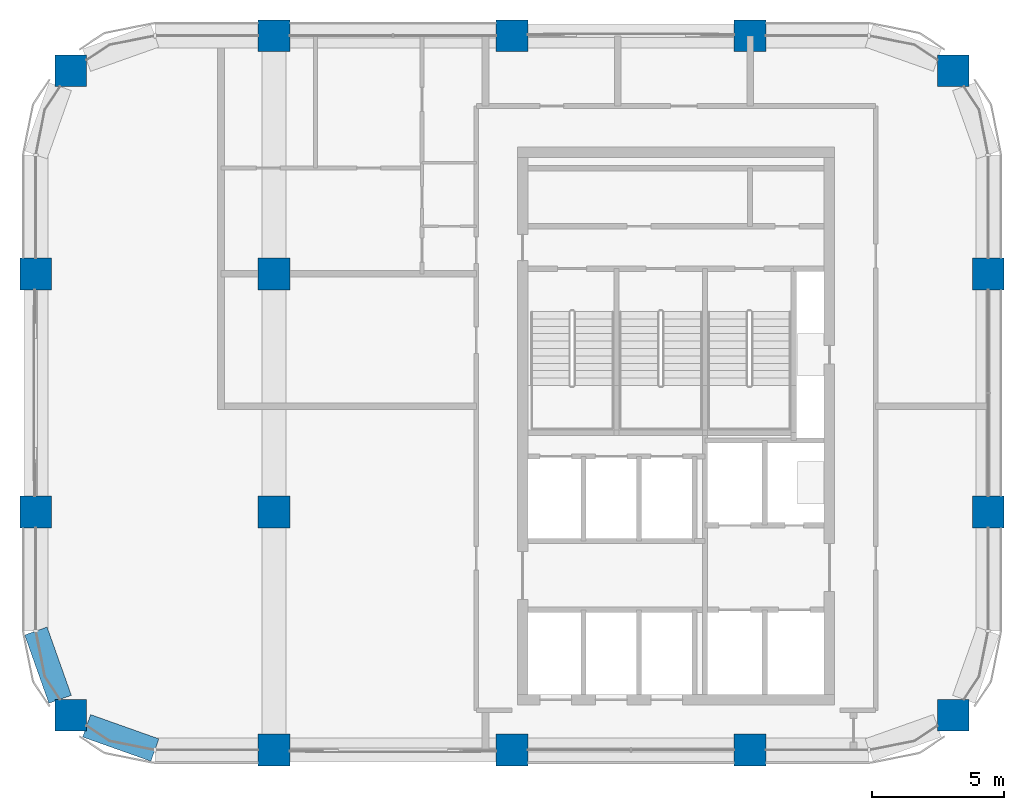
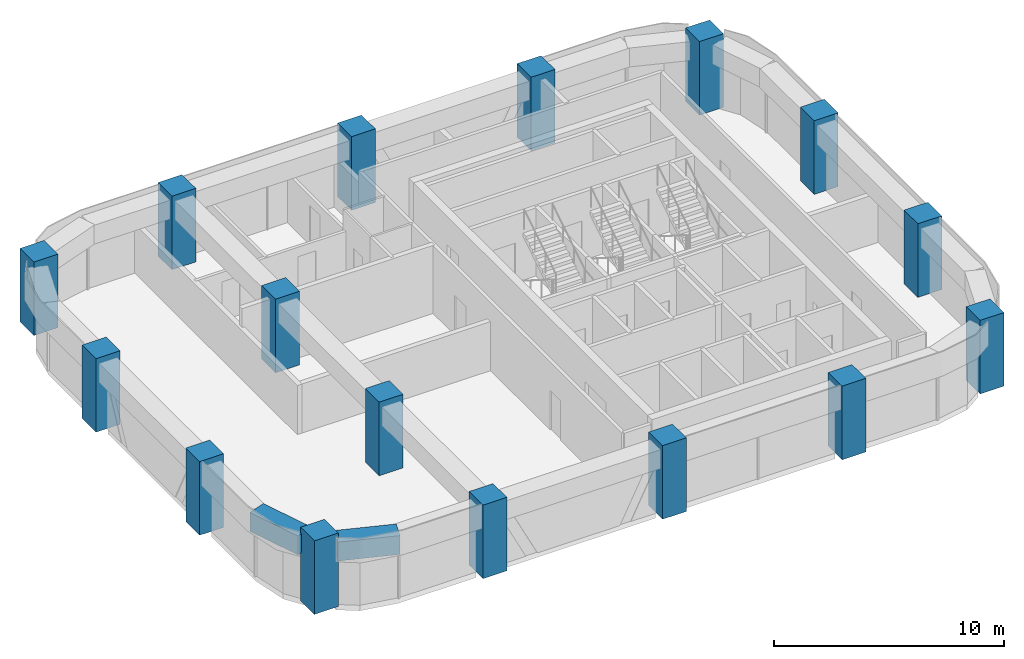
# One storey, part 1 of 10: 16 columns, 2 beams.
"""IFC4 building model written with IfcOpenShell, lengths in metres."""

from ifc_helpers import new_model, si_unit, direction, frame, origin, origin_2d, place, context, subcontext, project, spatial, rectangle, extrude, material, material_profile, profile_set, type_object, element, save


model = new_model("IFC4")

# Units and contexts
model_context = context("Model", 3, precision=1e-05, world=origin(), true_north=direction((0.0, 1.0)))
body_context = subcontext(model_context, "Body", "Model", "MODEL_VIEW")
ifc_project = project(units=[si_unit("LENGTHUNIT", "METRE"), si_unit("AREAUNIT", "SQUARE_METRE"), si_unit("VOLUMEUNIT", "CUBIC_METRE"), si_unit("PLANEANGLEUNIT", "RADIAN"), si_unit("MASSUNIT", "GRAM", prefix="KILO")], contexts=[model_context])

# Site, building, storey
site_placement = place(None, origin())
site = spatial("IfcSite", under=ifc_project, at=site_placement, CompositionType="ELEMENT")
building_placement = place(site_placement, origin())
building = spatial("IfcBuilding", under=site, at=building_placement, Name="Tessera Arch", CompositionType="ELEMENT")
storey_placement = place(building_placement, frame((0.0, 0.0, 261.800048828125)))
storey = spatial("IfcBuildingStorey", under=building, at=storey_placement, Name="L63", CompositionType="ELEMENT", Elevation=261.800048828125)

# Columns
ifc_material_1 = material(Name="Concrete C60/75", Category="concrete")
ifc_material_profile_1 = material_profile(ifc_material_1, rectangle(XDim=1.199951171875, YDim=1.199951171875, at=origin_2d()), Name="RC column 1200 x 1200 Concrete C60/75")
ifc_profile_set_1 = profile_set([ifc_material_profile_1], Name="Concrete C60/75")
column_type = type_object("IfcColumnType", Name="RC column 1200 x 1200 Concrete C60/75", PredefinedType="COLUMN", material=ifc_profile_set_1)
for number, where, z_axis, x_axis, name in (
    (1, (19.318115234375, 28.318115234375, 0.0), (0.0, 0.0, 1.0), (1.0, 0.0, 0.0), "Column C3D L63"),
    (2, (18.0, 36.0, 0.0), (0.0, 0.0, 1.0), (1.0, 0.0, 0.0), "Column C3E L63"),
    (3, (18.0, 45.0, 0.0), (0.0, 0.0, 1.0), (1.0, 0.0, 0.0), "Column C3F L63"),
    (4, (19.318115234375, 52.681884765625, 0.0), (0.0, 0.0, 1.0), (1.0, 0.0, 0.0), "Column C3G L63"),
    (5, (27.0, 27.0, 0.0), (0.0, 0.0, 1.0), (1.0, 0.0, 0.0), "Column C4D L63"),
    (6, (27.0, 36.0, 0.0), (0.0, 0.0, 1.0), (1.0, 0.0, 0.0), "Column C4E L63"),
    (7, (27.0, 45.0, 0.0), (0.0, 0.0, 1.0), (1.0, 0.0, 0.0), "Column C4F L63"),
    (8, (27.0, 54.0, 0.0), (0.0, 0.0, 1.0), (1.0, 0.0, 0.0), "Column C4G L63"),
    (9, (36.0, 27.0, 0.0), (0.0, 0.0, 1.0), (1.0, 0.0, 0.0), "Column C5D L63"),
    (10, (36.0, 54.0, 0.0), (0.0, 0.0, 1.0), (1.0, 0.0, 0.0), "Column C5G L63"),
    (11, (45.0, 27.0, 0.0), (0.0, 0.0, 1.0), (1.0, 0.0, 0.0), "Column C6D L63"),
    (12, (45.0, 54.0, 0.0), (0.0, 0.0, 1.0), (1.0, 0.0, 0.0), "Column C6G L63"),
    (13, (52.681884765625, 28.318115234375, 0.0), (0.0, 0.0, 1.0), (1.0, 0.0, 0.0), "Column C7D L63"),
    (14, (54.0, 36.0, 0.0), (0.0, 0.0, 1.0), (1.0, 0.0, 0.0), "Column C7E L63"),
    (15, (54.0, 45.0, 0.0), (0.0, 0.0, 1.0), (1.0, 0.0, 0.0), "Column C7F L63"),
    (16, (52.681884765625, 52.681884765625, 0.0), (0.0, 0.0, 1.0), (1.0, 0.0, 0.0), "Column C7G L63"),
):
    element("IfcColumn", number, at=place(storey_placement, frame(where, z_axis=z_axis, x_axis=x_axis)), inside=storey, type_object=column_type, Name=name, PredefinedType="COLUMN", context=body_context, shape_type="SweptSolid", body=[
        extrude(rectangle(XDim=1.199951171875, YDim=1.199951171875, at=origin_2d()), origin(), (0.0, 0.0, 1.0), 3.89990234375),
    ])

# Beams
ifc_material_2 = material(Name="Concrete C60/75", Category="concrete")
ifc_material_profile_2 = material_profile(ifc_material_2, rectangle(XDim=0.89990234375, YDim=1.0, at=origin_2d()), Name="RC spandrel beam 900 x 1000 Concrete C60/75")
ifc_profile_set_2 = profile_set([ifc_material_profile_2], Name="Concrete C60/75")
beam_type = type_object("IfcBeamType", Name="RC spandrel beam 900 x 1000 Concrete C60/75", PredefinedType="BEAM", material=ifc_profile_set_2)
for number, where, z_axis, x_axis, name in (
    (17, (18.0, 31.5, 3.099853515625), (0.334665114373, -0.942337127159, 0.0), (0.942337127159, 0.334665114373, 0.0), "Spandrel beam L63 W18.27/2.2"),
    (18, (19.91796875, 27.9169921875, 3.099853515625), (0.942337127159, -0.334665114373, 0.0), (0.334665114373, 0.942337127159, 0.0), "Spandrel beam L63 S27.18/0.1"),
):
    element("IfcBeam", number, at=place(storey_placement, frame(where, z_axis=z_axis, x_axis=x_axis)), inside=storey, type_object=beam_type, Name=name, PredefinedType="BEAM", context=body_context, shape_type="SweptSolid", body=[
        extrude(rectangle(XDim=0.89990234375, YDim=1.0, at=origin_2d()), origin(), (0.0, 0.0, 1.0), 2.739990234375),
    ])

save(model, "model.ifc")
